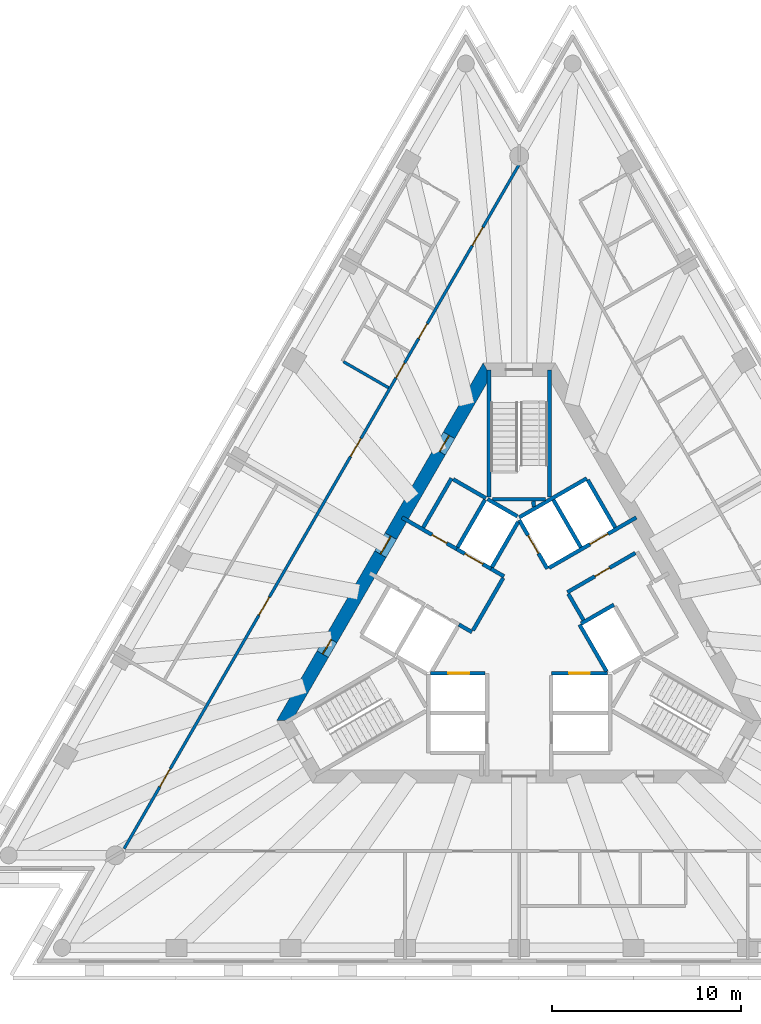
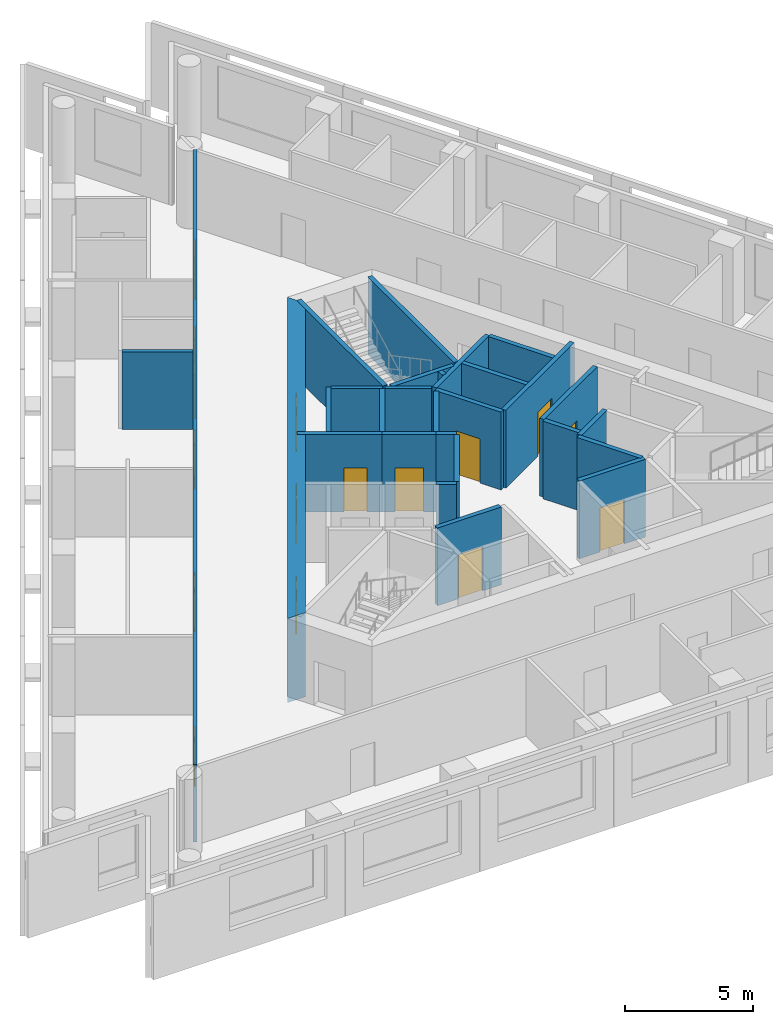
# One storey, part 4 of 9: 28 walls, 16 doors, 16 openings.
"""IFC4 building model written with IfcOpenShell, lengths in metres."""

from ifc_helpers import new_model, si_unit, direction, frame, frame_2d, origin, place, context, subcontext, project, spatial, polyline, rectangle, outline, extrude, material, layer, layer_set, type_object, element, fill, save


model = new_model("IFC4")

# Units and contexts
model_context = context("Model", 3, precision=1e-05, world=origin(), true_north=direction((0.0, 1.0)))
body_context = subcontext(model_context, "Body", "Model", "MODEL_VIEW")
ifc_project = project(units=[si_unit("LENGTHUNIT", "METRE"), si_unit("AREAUNIT", "SQUARE_METRE"), si_unit("VOLUMEUNIT", "CUBIC_METRE"), si_unit("PLANEANGLEUNIT", "RADIAN"), si_unit("MASSUNIT", "GRAM", prefix="KILO")], contexts=[model_context])

# Site, building, storey
site_placement = place(None, origin())
site = spatial("IfcSite", under=ifc_project, at=site_placement, CompositionType="ELEMENT")
building_placement = place(site_placement, origin())
building = spatial("IfcBuilding", under=site, at=building_placement, Name="Triada Interchange Tower", CompositionType="ELEMENT")
storey_placement = place(building_placement, frame((0.0, 0.0, 219.300048828125)))
storey = spatial("IfcBuildingStorey", under=building, at=storey_placement, Name="L51", CompositionType="ELEMENT", Elevation=219.300048828125)

# Wall, opening, door
ifc_material_1 = material(Name="Concrete C30/37", Category="concrete")
ifc_layer_1 = layer(ifc_material_1, 0.199951171875)
ifc_layer_set_1 = layer_set([ifc_layer_1], Name="CORE WALL 200 EI 120")
wall_type_1 = type_object("IfcWallType", Name="CORE WALL 200 EI 120", PredefinedType="SOLIDWALL", material=ifc_layer_set_1)
wall_1_placement = place(storey_placement, frame((-4.676025390625, -2.699951171875, 0.0), z_axis=(0.0, 0.0, 1.0), x_axis=(1.0, 0.0, 0.0)))
wall_1 = element("IfcWall", 1, at=wall_1_placement, inside=storey, type_object=wall_type_1, Name="Wall L50 49", PredefinedType="SOLIDWALL", context=body_context, shape_type="SweptSolid", body=[
    extrude(rectangle(XDim=2.873046875, YDim=0.199951171875, at=frame_2d((1.4365234375, 0.0))), origin(), (0.0, 0.0, 1.0), 3.699951171875),
])
opening_1_placement = place(wall_1_placement, frame((0.93701171875, 0.0, 0.0)))
opening_1 = element("IfcOpeningElement", 2, at=opening_1_placement, cuts=wall_1, Name="Opening LD-HR3", PredefinedType="OPENING", context=body_context, shape_type="SweptSolid", body=[
    extrude(rectangle(XDim=1.10009765625, YDim=2.10009765625, at=frame_2d((0.550048828125, 1.050048828125))), frame((0.0, 0.10986328125, 0.0), z_axis=(0.0, -1.0, 0.0), x_axis=(1.0, 0.0, 0.0)), (0.0, 0.0, 1.0), 0.219970703125),
])
ifc_material_2 = material(Name="Steel S235 door leaf", Category="steel")
door_type_1 = type_object("IfcDoorType", Name="LIFT LANDING DOOR 1100 EI 120", OperationType="SLIDING_TO_LEFT", PredefinedType="DOOR", material=ifc_material_2)
door_1_placement = place(opening_1_placement, origin())
door_1 = element("IfcDoor", 3, at=door_1_placement, inside=storey, type_object=door_type_1, Name="HR3 landing door L51", OperationType="SLIDING_TO_LEFT", OverallHeight=2.10009765625, OverallWidth=1.10009765625, PredefinedType="DOOR", context=body_context, shape_type="SweptSolid", body=[
    extrude(rectangle(XDim=1.10009765625, YDim=2.10009765625, at=frame_2d((0.550048828125, 1.050048828125))), frame((0.0, 0.02490234375, 0.0), z_axis=(0.0, -1.0, 0.0), x_axis=(1.0, 0.0, 0.0)), (0.0, 0.0, 1.0), 0.050048828125),
])
fill(opening_1, door_1)

wall_2_placement = place(storey_placement, frame((1.702880859375, -2.699951171875, 0.0), z_axis=(0.0, 0.0, 1.0), x_axis=(1.0, 0.0, 0.0)))
wall_2 = element("IfcWall", 4, at=wall_2_placement, inside=storey, type_object=wall_type_1, Name="Wall L50 50", PredefinedType="SOLIDWALL", context=body_context, shape_type="SweptSolid", body=[
    extrude(rectangle(XDim=2.97314453125, YDim=0.199951171875, at=frame_2d((1.486572265625, 0.0))), origin(), (0.0, 0.0, 1.0), 3.699951171875),
])
opening_2_placement = place(wall_2_placement, frame((0.93603515625, 0.0, 0.0)))
opening_2 = element("IfcOpeningElement", 5, at=opening_2_placement, cuts=wall_2, Name="Opening LD-HR1", PredefinedType="OPENING", context=body_context, shape_type="SweptSolid", body=[
    extrude(rectangle(XDim=1.10009765625, YDim=2.10009765625, at=frame_2d((0.550048828125, 1.050048828125))), frame((0.0, 0.10986328125, 0.0), z_axis=(0.0, -1.0, 0.0), x_axis=(1.0, 0.0, 0.0)), (0.0, 0.0, 1.0), 0.219970703125),
])
door_2_placement = place(opening_2_placement, origin())
door_2 = element("IfcDoor", 6, at=door_2_placement, inside=storey, type_object=door_type_1, Name="HR1 landing door L51", OperationType="SLIDING_TO_LEFT", OverallHeight=2.10009765625, OverallWidth=1.10009765625, PredefinedType="DOOR", context=body_context, shape_type="SweptSolid", body=[
    extrude(rectangle(XDim=1.10009765625, YDim=2.10009765625, at=frame_2d((0.550048828125, 1.050048828125))), frame((0.0, 0.02490234375, 0.0), z_axis=(0.0, -1.0, 0.0), x_axis=(1.0, 0.0, 0.0)), (0.0, 0.0, 1.0), 0.050048828125),
])
fill(opening_2, door_2)

# Wall
wall_3_placement = place(storey_placement, frame((-0.001953125, 5.541015625, 0.0), z_axis=(0.0, 0.0, 1.0), x_axis=(0.86600155993, 0.500041296494, 0.0)))
element("IfcWall", 7, at=wall_3_placement, inside=storey, type_object=wall_type_1, Name="Wall L50 51", PredefinedType="SOLIDWALL", context=body_context, shape_type="SweptSolid", body=[
    extrude(rectangle(XDim=4.131591796875, YDim=0.199951171875, at=frame_2d((2.06591796875, 0.0))), origin(), (0.0, 0.0, 1.0), 3.699951171875),
])

# Wall, opening, door
wall_4_placement = place(storey_placement, frame((0.0, 5.39990234375, 0.0), z_axis=(0.0, 0.0, 1.0), x_axis=(0.500103862429, -0.865965430478, 0.0)))
wall_4 = element("IfcWall", 8, at=wall_4_placement, inside=storey, type_object=wall_type_1, Name="Wall L50 52", PredefinedType="SOLIDWALL", context=body_context, shape_type="SweptSolid", body=[
    extrude(rectangle(XDim=2.973388671875, YDim=0.199951171875, at=frame_2d((1.48681640625, 0.0))), origin(), (0.0, 0.0, 1.0), 3.699951171875),
])
opening_3_placement = place(wall_4_placement, frame((0.93701171875, 0.0, 0.0)))
opening_3 = element("IfcOpeningElement", 9, at=opening_3_placement, cuts=wall_4, Name="Opening LD-HR5", PredefinedType="OPENING", context=body_context, shape_type="SweptSolid", body=[
    extrude(rectangle(XDim=1.10009765625, YDim=2.10009765625, at=frame_2d((0.550048828125, 1.050048828125))), frame((0.0, 0.10986328125, 0.0), z_axis=(0.0, -1.0, 0.0), x_axis=(1.0, 0.0, 0.0)), (0.0, 0.0, 1.0), 0.219970703125),
])
door_3_placement = place(opening_3_placement, origin())
door_3 = element("IfcDoor", 10, at=door_3_placement, inside=storey, type_object=door_type_1, Name="HR5 landing door L51", OperationType="SLIDING_TO_LEFT", OverallHeight=2.10009765625, OverallWidth=1.10009765625, PredefinedType="DOOR", context=body_context, shape_type="SweptSolid", body=[
    extrude(rectangle(XDim=1.10009765625, YDim=2.10009765625, at=frame_2d((0.550048828125, 1.050048828125))), frame((0.0, 0.02490234375, 0.0), z_axis=(0.0, -1.0, 0.0), x_axis=(1.0, 0.0, 0.0)), (0.0, 0.0, 1.0), 0.050048828125),
])
fill(opening_3, door_3)

# Wall
wall_5_placement = place(storey_placement, frame((3.18994140625, -0.125, 0.0), z_axis=(0.0, 0.0, 1.0), x_axis=(0.499988658015, -0.866031951983, 0.0)))
element("IfcWall", 11, at=wall_5_placement, inside=storey, type_object=wall_type_1, Name="Wall L50 53", PredefinedType="SOLIDWALL", context=body_context, shape_type="SweptSolid", body=[
    extrude(rectangle(XDim=2.85791015625, YDim=0.199951171875, at=frame_2d((1.428955078125, 0.0))), origin(), (0.0, 0.0, 1.0), 3.699951171875),
])

# Wall, opening, door
wall_6_placement = place(storey_placement, frame((1.577880859375, 2.8740234375, 0.0), z_axis=(0.0, 0.0, 1.0), x_axis=(0.866045911672, 0.499964477614, 0.0)))
wall_6 = element("IfcWall", 12, at=wall_6_placement, inside=storey, type_object=wall_type_1, Name="Wall L50 54", PredefinedType="SOLIDWALL", context=body_context, shape_type="SweptSolid", body=[
    extrude(rectangle(XDim=5.32666015625, YDim=0.199951171875, at=frame_2d((2.663330078125, 0.0))), origin(), (0.0, 0.0, 1.0), 3.699951171875),
])
opening_4_placement = place(wall_6_placement, frame((2.49609375, 0.0, 0.0)))
opening_4 = element("IfcOpeningElement", 13, at=opening_4_placement, cuts=wall_6, Name="Opening LD-HR6", PredefinedType="OPENING", context=body_context, shape_type="SweptSolid", body=[
    extrude(rectangle(XDim=1.10009765625, YDim=2.10009765625, at=frame_2d((0.550048828125, 1.050048828125))), frame((0.0, 0.10986328125, 0.0), z_axis=(0.0, -1.0, 0.0), x_axis=(1.0, 0.0, 0.0)), (0.0, 0.0, 1.0), 0.219970703125),
])
door_4_placement = place(opening_4_placement, origin())
door_4 = element("IfcDoor", 14, at=door_4_placement, inside=storey, type_object=door_type_1, Name="HR6 landing door L51", OperationType="SLIDING_TO_LEFT", OverallHeight=2.10009765625, OverallWidth=1.10009765625, PredefinedType="DOOR", context=body_context, shape_type="SweptSolid", body=[
    extrude(rectangle(XDim=1.10009765625, YDim=2.10009765625, at=frame_2d((0.550048828125, 1.050048828125))), frame((0.0, 0.02490234375, 0.0), z_axis=(0.0, -1.0, 0.0), x_axis=(1.0, 0.0, 0.0)), (0.0, 0.0, 1.0), 0.050048828125),
])
fill(opening_4, door_4)

# Walls
wall_7_placement = place(storey_placement, frame((3.278076171875, -0.071044921875, 0.0), z_axis=(0.0, 0.0, 1.0), x_axis=(0.865855657918, 0.500293893279, 0.0)))
element("IfcWall", 15, at=wall_7_placement, inside=storey, type_object=wall_type_1, Name="Wall L50 57", PredefinedType="SOLIDWALL", context=body_context, shape_type="SweptSolid", body=[
    extrude(rectangle(XDim=1.996826171875, YDim=0.199951171875, at=frame_2d((0.99853515625, 0.0))), origin(), (0.0, 0.0, 1.0), 3.699951171875),
])
for number, where, z_axis, x_axis, name in (
    (16, (3.6259765625, 7.52001953125, 0.0), (0.0, 0.0, 1.0), (0.500060147554, -0.865990674793, 0.0), "Wall L50 59"),
    (17, (1.806884765625, 6.469970703125, 0.0), (0.0, 0.0, 1.0), (0.50012328804, -0.865954211699, 0.0), "Wall L50 60"),
):
    element("IfcWall", number, at=place(storey_placement, frame(where, z_axis=z_axis, x_axis=x_axis)), inside=storey, type_object=wall_type_1, Name=name, PredefinedType="SOLIDWALL", context=body_context, shape_type="SweptSolid", body=[
        extrude(rectangle(XDim=2.899658203125, YDim=0.199951171875, at=frame_2d((1.44970703125, 0.0))), origin(), (0.0, 0.0, 1.0), 3.699951171875),
    ])

# Wall, opening, door
wall_8_placement = place(storey_placement, frame((2.548095703125, 1.5869140625, 0.0), z_axis=(0.0, 0.0, 1.0), x_axis=(0.866004344652, 0.500036473714, 0.0)))
wall_8 = element("IfcWall", 18, at=wall_8_placement, inside=storey, type_object=wall_type_1, Name="Wall L50 64", PredefinedType="SOLIDWALL", context=body_context, shape_type="SweptSolid", body=[
    extrude(rectangle(XDim=4.150146484375, YDim=0.199951171875, at=frame_2d((2.0751953125, 0.0))), origin(), (0.0, 0.0, 1.0), 3.699951171875),
])
opening_5_placement = place(wall_8_placement, frame((1.675048828125, 0.0, 0.0)))
opening_5 = element("IfcOpeningElement", 19, at=opening_5_placement, cuts=wall_8, Name="Opening D50-48", PredefinedType="OPENING", context=body_context, shape_type="SweptSolid", body=[
    extrude(rectangle(XDim=0.89990234375, YDim=2.10009765625, at=frame_2d((0.449951171875, 1.050048828125))), frame((0.0, 0.10986328125, 0.0), z_axis=(0.0, -1.0, 0.0), x_axis=(1.0, 0.0, 0.0)), (0.0, 0.0, 1.0), 0.219970703125),
])
door_type_2 = type_object("IfcDoorType", Name="SERVICE DOOR 900 EI2 45-C5S200", OperationType="NOTDEFINED", PredefinedType="DOOR", material=ifc_material_2)
door_5_placement = place(opening_5_placement, origin())
door_5 = element("IfcDoor", 20, at=door_5_placement, inside=storey, type_object=door_type_2, Name="Door D50-48 L51", OperationType="SINGLE_SWING_RIGHT", OverallHeight=2.10009765625, OverallWidth=0.89990234375, PredefinedType="DOOR", context=body_context, shape_type="SweptSolid", body=[
    extrude(rectangle(XDim=0.89990234375, YDim=2.10009765625, at=frame_2d((0.449951171875, 1.050048828125))), frame((0.0, 0.02490234375, 0.0), z_axis=(0.0, -1.0, 0.0), x_axis=(1.0, 0.0, 0.0)), (0.0, 0.0, 1.0), 0.050048828125),
])
fill(opening_5, door_5)

# Walls
wall_9_placement = place(storey_placement, frame((2.597900390625, 1.5, 0.0), z_axis=(0.0, 0.0, 1.0), x_axis=(0.499929347863, -0.866066190972, 0.0)))
element("IfcWall", 21, at=wall_9_placement, inside=storey, type_object=wall_type_1, Name="Wall L50 65", PredefinedType="SOLIDWALL", context=body_context, shape_type="SweptSolid", body=[
    extrude(rectangle(XDim=1.600341796875, YDim=0.199951171875, at=frame_2d((0.80029296875, 0.0))), origin(), (0.0, 0.0, 1.0), 3.699951171875),
])
ifc_layer_2 = layer(ifc_material_1, 0.199951171875)
ifc_layer_set_2 = layer_set([ifc_layer_2], Name="CORE WALL 200 EI 180")
wall_type_2 = type_object("IfcWallType", Name="CORE WALL 200 EI 180", PredefinedType="SOLIDWALL", material=ifc_layer_set_2)
wall_10_placement = place(storey_placement, frame((-3.18798828125, -0.1220703125, 0.0), z_axis=(0.0, 0.0, 1.0), x_axis=(0.865705793592, -0.50055317294, 0.0)))
element("IfcWall", 22, at=wall_10_placement, inside=storey, type_object=wall_type_2, Name="Wall L50 67", PredefinedType="SOLIDWALL", context=body_context, shape_type="SweptSolid", body=[
    extrude(rectangle(XDim=0.796875, YDim=0.199951171875, at=frame_2d((0.3984375, 0.0))), origin(), (0.0, 0.0, 1.0), 3.699951171875),
])

# Wall, opening, door
wall_11_placement = place(storey_placement, frame((-6.19091796875, 5.537109375, 0.0), z_axis=(0.0, 0.0, 1.0), x_axis=(0.866052607023, -0.499952879648, 0.0)))
wall_11 = element("IfcWall", 23, at=wall_11_placement, inside=storey, type_object=wall_type_2, Name="Wall L50 68", PredefinedType="SOLIDWALL", context=body_context, shape_type="SweptSolid", body=[
    extrude(rectangle(XDim=3.332275390625, YDim=0.199951171875, at=frame_2d((1.666015625, 0.0))), origin(), (0.0, 0.0, 1.0), 3.699951171875),
])
opening_6_placement = place(wall_11_placement, frame((1.830078125, 0.0, 0.0)))
opening_6 = element("IfcOpeningElement", 24, at=opening_6_placement, cuts=wall_11, Name="Opening D50-10", PredefinedType="OPENING", context=body_context, shape_type="SweptSolid", body=[
    extrude(rectangle(XDim=0.89990234375, YDim=2.10009765625, at=frame_2d((0.449951171875, 1.050048828125))), frame((0.0, 0.10986328125, 0.0), z_axis=(0.0, -1.0, 0.0), x_axis=(1.0, 0.0, 0.0)), (0.0, 0.0, 1.0), 0.219970703125),
])
door_type_3 = type_object("IfcDoorType", Name="SERVICE DOOR 900 EI2 90-C5S200", OperationType="NOTDEFINED", PredefinedType="DOOR", material=ifc_material_2)
door_6_placement = place(opening_6_placement, origin())
door_6 = element("IfcDoor", 25, at=door_6_placement, inside=storey, type_object=door_type_3, Name="Door D50-10 L51", OperationType="SINGLE_SWING_LEFT", OverallHeight=2.10009765625, OverallWidth=0.89990234375, PredefinedType="DOOR", context=body_context, shape_type="SweptSolid", body=[
    extrude(rectangle(XDim=0.89990234375, YDim=2.10009765625, at=frame_2d((0.449951171875, 1.050048828125))), frame((0.0, 0.02490234375, 0.0), z_axis=(0.0, -1.0, 0.0), x_axis=(1.0, 0.0, 0.0)), (0.0, 0.0, 1.0), 0.050048828125),
])
fill(opening_6, door_6)

# Walls
wall_12_placement = place(storey_placement, frame((-1.488037109375, 2.822021484375, 0.0), z_axis=(0.0, 0.0, 1.0), x_axis=(0.866236612152, -0.499633997809, 0.0)))
element("IfcWall", 26, at=wall_12_placement, inside=storey, type_object=wall_type_2, Name="Wall L50 69", PredefinedType="SOLIDWALL", context=body_context, shape_type="SweptSolid", body=[
    extrude(rectangle(XDim=0.79638671875, YDim=0.199951171875, at=frame_2d((0.398193359375, 0.0))), origin(), (0.0, 0.0, 1.0), 3.699951171875),
])
wall_13_placement = place(storey_placement, frame((-5.075927734375, 5.009033203125, 0.0), z_axis=(0.0, 0.0, 1.0), x_axis=(0.50002537861, 0.866010750942, 0.0)))
element("IfcWall", 27, at=wall_13_placement, inside=storey, type_object=wall_type_2, Name="Wall L50 70", PredefinedType="SOLIDWALL", context=body_context, shape_type="SweptSolid", body=[
    extrude(rectangle(XDim=2.999755859375, YDim=0.199951171875, at=frame_2d((1.5, 0.0))), origin(), (0.0, 0.0, 1.0), 3.699951171875),
])
wall_14_placement = place(storey_placement, frame((-3.489013671875, 7.556884765625, 0.0), z_axis=(0.0, 0.0, 1.0), x_axis=(0.866010750942, -0.50002537861, 0.0)))
element("IfcWall", 28, at=wall_14_placement, inside=storey, type_object=wall_type_2, Name="Wall L50 71", PredefinedType="SOLIDWALL", context=body_context, shape_type="SweptSolid", body=[
    extrude(rectangle(XDim=2.0, YDim=0.199951171875, at=frame_2d((1.0, 0.0))), origin(), (0.0, 0.0, 1.0), 3.699951171875),
])
wall_15_placement = place(storey_placement, frame((-2.444091796875, -0.43310546875, 0.0), z_axis=(0.0, 0.0, 1.0), x_axis=(0.500035624827, 0.866004834804, 0.0)))
element("IfcWall", 29, at=wall_15_placement, inside=storey, type_object=wall_type_2, Name="Wall L50 72", PredefinedType="SOLIDWALL", context=body_context, shape_type="SweptSolid", body=[
    extrude(rectangle(XDim=3.194091796875, YDim=0.199951171875, at=frame_2d((1.59716796875, 0.0))), origin(), (0.0, 0.0, 1.0), 3.699951171875),
])

# Wall, opening, door
wall_16_placement = place(storey_placement, frame((-3.30908203125, 3.873046875, 0.0), z_axis=(0.0, 0.0, 1.0), x_axis=(0.866098583652, -0.499873227325, 0.0)))
wall_16 = element("IfcWall", 30, at=wall_16_placement, inside=storey, type_object=wall_type_2, Name="Shaft wall FF2 L50 77", PredefinedType="SOLIDWALL", context=body_context, shape_type="SweptSolid", body=[
    extrude(rectangle(XDim=2.1025390625, YDim=0.199951171875, at=frame_2d((1.05126953125, 0.0))), origin(), (0.0, 0.0, 1.0), 3.699951171875),
])
opening_7_placement = place(wall_16_placement, frame((0.501953125, 0.0, 0.0)))
opening_7 = element("IfcOpeningElement", 31, at=opening_7_placement, cuts=wall_16, Name="Opening LD-FF2", PredefinedType="OPENING", context=body_context, shape_type="SweptSolid", body=[
    extrude(rectangle(XDim=1.10009765625, YDim=2.10009765625, at=frame_2d((0.550048828125, 1.050048828125))), frame((0.0, 0.10986328125, 0.0), z_axis=(0.0, -1.0, 0.0), x_axis=(1.0, 0.0, 0.0)), (0.0, 0.0, 1.0), 0.219970703125),
])
door_7_placement = place(opening_7_placement, origin())
door_7 = element("IfcDoor", 32, at=door_7_placement, inside=storey, type_object=door_type_1, Name="FF2 landing door L51", OperationType="SLIDING_TO_LEFT", OverallHeight=2.10009765625, OverallWidth=1.10009765625, PredefinedType="DOOR", context=body_context, shape_type="SweptSolid", body=[
    extrude(rectangle(XDim=1.10009765625, YDim=2.10009765625, at=frame_2d((0.550048828125, 1.050048828125))), frame((0.0, 0.02490234375, 0.0), z_axis=(0.0, -1.0, 0.0), x_axis=(1.0, 0.0, 0.0)), (0.0, 0.0, 1.0), 0.050048828125),
])
fill(opening_7, door_7)

# Walls
wall_17_placement = place(storey_placement, frame((-3.257080078125, 3.958984375, 0.0), z_axis=(0.0, 0.0, 1.0), x_axis=(0.50012328804, 0.865954211699, 0.0)))
element("IfcWall", 33, at=wall_17_placement, inside=storey, type_object=wall_type_2, Name="Shaft wall FF2 L50 78", PredefinedType="SOLIDWALL", context=body_context, shape_type="SweptSolid", body=[
    extrude(rectangle(XDim=2.899658203125, YDim=0.199951171875, at=frame_2d((1.44970703125, 0.0))), origin(), (0.0, 0.0, 1.0), 3.699951171875),
])
wall_18_placement = place(storey_placement, frame((-1.669921875, 6.507080078125, 0.0), z_axis=(0.0, 0.0, 1.0), x_axis=(0.865941441609, -0.500145398563, 0.0)))
element("IfcWall", 34, at=wall_18_placement, inside=storey, type_object=wall_type_2, Name="Shaft wall FF2 L50 79", PredefinedType="SOLIDWALL", context=body_context, shape_type="SweptSolid", body=[
    extrude(rectangle(XDim=1.8154296875, YDim=0.199951171875, at=frame_2d((0.90771484375, 0.0))), origin(), (0.0, 0.0, 1.0), 3.699951171875),
])
wall_19_placement = place(storey_placement, frame((-1.43798828125, 2.908935546875, 0.0), z_axis=(0.0, 0.0, 1.0), x_axis=(0.499829630636, 0.866123744241, 0.0)))
element("IfcWall", 35, at=wall_19_placement, inside=storey, type_object=wall_type_2, Name="Shaft wall FF2 L50 80", PredefinedType="SOLIDWALL", context=body_context, shape_type="SweptSolid", body=[
    extrude(rectangle(XDim=2.7607421875, YDim=0.199951171875, at=frame_2d((1.38037109375, 0.0))), origin(), (0.0, 0.0, 1.0), 3.699951171875),
])
ifc_layer_3 = layer(ifc_material_1, 0.199951171875)
ifc_layer_set_3 = layer_set([ifc_layer_3], Name="CORE WALL 200 EI 90")
wall_type_3 = type_object("IfcWallType", Name="CORE WALL 200 EI 90", PredefinedType="SOLIDWALL", material=ifc_layer_set_3)
wall_20_placement = place(storey_placement, frame((0.75, 6.39990234375, 0.0), z_axis=(0.0, 0.0, 1.0), x_axis=(0.080860177601, -0.996725454515, 0.0)))
element("IfcWall", 36, at=wall_20_placement, inside=storey, type_object=wall_type_3, Name="Wall L50 82", PredefinedType="SOLIDWALL", context=body_context, shape_type="SweptSolid", body=[
    extrude(rectangle(XDim=0.2958984375, YDim=0.199951171875, at=frame_2d((0.14794921875, 0.0))), origin(), (0.0, 0.0, 1.0), 3.699951171875),
])
ifc_layer_4 = layer(ifc_material_1, 0.199951171875)
ifc_layer_set_4 = layer_set([ifc_layer_4], Name="CORE WALL 200 REI 240")
wall_type_4 = type_object("IfcWallType", Name="CORE WALL 200 REI 240", PredefinedType="SOLIDWALL", material=ifc_layer_set_4)
wall_21_placement = place(storey_placement, frame((1.60009765625, 6.614990234375, 0.0), z_axis=(0.0, 0.0, 1.0), x_axis=(0.0, 1.0, 0.0)))
element("IfcWall", 37, at=wall_21_placement, inside=storey, type_object=wall_type_4, Name="Wall L50 89", PredefinedType="SOLIDWALL", context=body_context, shape_type="SweptSolid", body=[
    extrude(rectangle(XDim=6.715087890625, YDim=0.199951171875, at=frame_2d((3.357421875, 0.0))), origin(), (0.0, 0.0, 1.0), 3.699951171875),
])
wall_22_placement = place(storey_placement, frame((-1.39990234375, 6.5, 0.0), z_axis=(0.0, 0.0, 1.0), x_axis=(1.0, 0.0, 0.0)))
element("IfcWall", 38, at=wall_22_placement, inside=storey, type_object=wall_type_4, Name="Wall L50 90", PredefinedType="SOLIDWALL", context=body_context, shape_type="SweptSolid", body=[
    extrude(rectangle(XDim=2.7998046875, YDim=0.199951171875, at=frame_2d((1.39990234375, 0.0))), origin(), (0.0, 0.0, 1.0), 3.699951171875),
])
wall_23_placement = place(storey_placement, frame((-1.60009765625, 6.614990234375, 0.0), z_axis=(0.0, 0.0, 1.0), x_axis=(0.0, 1.0, 0.0)))
element("IfcWall", 39, at=wall_23_placement, inside=storey, type_object=wall_type_4, Name="Wall L50 91", PredefinedType="SOLIDWALL", context=body_context, shape_type="SweptSolid", body=[
    extrude(rectangle(XDim=6.715087890625, YDim=0.199951171875, at=frame_2d((3.357421875, 0.0))), origin(), (0.0, 0.0, 1.0), 3.699951171875),
])

# Wall, openings, doors
ifc_material_3 = material(Name="Concrete C50/60", Category="concrete")
ifc_layer_5 = layer(ifc_material_3, 0.699951171875)
ifc_layer_set_5 = layer_set([ifc_layer_5], Name="Core wall C 700")
wall_type_5 = type_object("IfcWallType", Name="Core wall C 700", PredefinedType="SHEAR", material=ifc_layer_set_5)
wall_24_placement = place(storey_placement, frame((-1.702880859375, 13.35009765625, -0.300048828125), z_axis=(0.0, 0.0, 1.0), x_axis=(-0.500011533395, -0.866018744874, 0.0)))
wall_24 = element("IfcWall", 40, at=wall_24_placement, inside=storey, type_object=wall_type_5, Name="Core wall WC02 L51", PredefinedType="SHEAR", context=body_context, shape_type="SweptSolid", body=[
    extrude(outline(polyline([(-0.201904296875, -0.35009765625), (1.781982421875, -0.35009765625), (3.76611328125, -0.35009765625), (5.75, -0.35009765625), (7.734130859375, -0.35009765625), (9.718017578125, -0.35009765625), (11.7021484375, -0.35009765625), (13.68603515625, -0.35009765625), (15.670166015625, -0.35009765625), (17.654052734375, -0.35009765625), (19.63818359375, -0.35009765625), (21.6220703125, -0.35009765625), (21.218017578125, 0.35009765625), (19.307373046875, 0.35009765625), (17.39697265625, 0.35009765625), (15.486328125, 0.35009765625), (13.57568359375, 0.35009765625), (11.665283203125, 0.35009765625), (9.754638671875, 0.35009765625), (7.84423828125, 0.35009765625), (5.93359375, 0.35009765625), (4.02294921875, 0.35009765625), (2.112548828125, 0.35009765625), (0.201904296875, 0.35009765625), (-0.201904296875, -0.35009765625)])), origin(), (0.0, 0.0, 1.0), 4.0),
])
opening_8_placement = place(wall_24_placement, frame((10.159912109375, 0.0, 0.300048828125)))
opening_8 = element("IfcOpeningElement", 41, at=opening_8_placement, cuts=wall_24, Name="Opening D50-42", PredefinedType="OPENING", context=body_context, shape_type="SweptSolid", body=[
    extrude(rectangle(XDim=1.10009765625, YDim=2.10009765625, at=frame_2d((0.550048828125, 1.050048828125))), frame((0.0, 0.360107421875, 0.0), z_axis=(0.0, -1.0, 0.0), x_axis=(1.0, 0.0, 0.0)), (0.0, 0.0, 1.0), 0.72021484375),
])
opening_9_placement = place(wall_24_placement, frame((16.465087890625, 0.0, 0.300048828125)))
opening_9 = element("IfcOpeningElement", 42, at=opening_9_placement, cuts=wall_24, Name="Opening D50-43", PredefinedType="OPENING", context=body_context, shape_type="SweptSolid", body=[
    extrude(rectangle(XDim=0.89990234375, YDim=2.10009765625, at=frame_2d((0.449951171875, 1.050048828125))), frame((0.0, 0.360107421875, 0.0), z_axis=(0.0, -1.0, 0.0), x_axis=(1.0, 0.0, 0.0)), (0.0, 0.0, 1.0), 0.72021484375),
])
opening_10_placement = place(wall_24_placement, frame((4.0048828125, 0.0, 0.300048828125)))
opening_10 = element("IfcOpeningElement", 43, at=opening_10_placement, cuts=wall_24, Name="Opening D50-46", PredefinedType="OPENING", context=body_context, shape_type="SweptSolid", body=[
    extrude(rectangle(XDim=1.0, YDim=2.10009765625, at=frame_2d((0.5, 1.050048828125))), frame((0.0, 0.360107421875, 0.0), z_axis=(0.0, -1.0, 0.0), x_axis=(1.0, 0.0, 0.0)), (0.0, 0.0, 1.0), 0.72021484375),
])
door_type_4 = type_object("IfcDoorType", Name="FIRE LOBBY DOOR 1100 EI2 90-C5S200", OperationType="NOTDEFINED", PredefinedType="DOOR", material=ifc_material_2)
door_8_placement = place(opening_8_placement, origin())
door_8 = element("IfcDoor", 44, at=door_8_placement, inside=storey, type_object=door_type_4, Name="Door D50-42 L51", OperationType="SINGLE_SWING_RIGHT", OverallHeight=2.10009765625, OverallWidth=1.10009765625, PredefinedType="DOOR", context=body_context, shape_type="SweptSolid", body=[
    extrude(rectangle(XDim=1.10009765625, YDim=2.10009765625, at=frame_2d((0.550048828125, 1.050048828125))), frame((0.0, 0.02490234375, 0.0), z_axis=(0.0, -1.0, 0.0), x_axis=(1.0, 0.0, 0.0)), (0.0, 0.0, 1.0), 0.050048828125),
])
fill(opening_8, door_8)
door_type_5 = type_object("IfcDoorType", Name="SERVICE DOOR 1000 EI2 45-C5S200", OperationType="NOTDEFINED", PredefinedType="DOOR", material=ifc_material_2)
door_9_placement = place(opening_10_placement, origin())
door_9 = element("IfcDoor", 45, at=door_9_placement, inside=storey, type_object=door_type_5, Name="Door D50-46 L51", OperationType="SINGLE_SWING_RIGHT", OverallHeight=2.10009765625, OverallWidth=1.0, PredefinedType="DOOR", context=body_context, shape_type="SweptSolid", body=[
    extrude(rectangle(XDim=1.0, YDim=2.10009765625, at=frame_2d((0.5, 1.050048828125))), frame((0.0, 0.02490234375, 0.0), z_axis=(0.0, -1.0, 0.0), x_axis=(1.0, 0.0, 0.0)), (0.0, 0.0, 1.0), 0.050048828125),
])
fill(opening_10, door_9)
door_10_placement = place(opening_9_placement, origin())
door_10 = element("IfcDoor", 46, at=door_10_placement, inside=storey, type_object=door_type_2, Name="Door D50-43 L51", OperationType="SINGLE_SWING_RIGHT", OverallHeight=2.10009765625, OverallWidth=0.89990234375, PredefinedType="DOOR", context=body_context, shape_type="SweptSolid", body=[
    extrude(rectangle(XDim=0.89990234375, YDim=2.10009765625, at=frame_2d((0.449951171875, 1.050048828125))), frame((0.0, 0.02490234375, 0.0), z_axis=(0.0, -1.0, 0.0), x_axis=(1.0, 0.0, 0.0)), (0.0, 0.0, 1.0), 0.050048828125),
])
fill(opening_9, door_10)

ifc_material_4 = material(Name="Gypsum board partition")
ifc_layer_6 = layer(ifc_material_4, 0.14990234375)
ifc_layer_set_6 = layer_set([ifc_layer_6], Name="PARTITION 150 EI 180")
wall_type_6 = type_object("IfcWallType", Name="PARTITION 150 EI 180", PredefinedType="PARTITIONING", material=ifc_layer_set_6)
wall_25_placement = place(storey_placement, frame((-20.883056640625, -11.969970703125, 0.0), z_axis=(0.0, 0.0, 1.0), x_axis=(0.500006150555, 0.866021852731, 0.0)))
wall_25 = element("IfcWall", 47, at=wall_25_placement, inside=storey, type_object=wall_type_6, Name="Wall L50 4", PredefinedType="PARTITIONING", context=body_context, shape_type="SweptSolid", body=[
    extrude(rectangle(XDim=41.765625, YDim=0.14990234375, at=frame_2d((20.8828125, 0.0))), origin(), (0.0, 0.0, 1.0), 3.699951171875),
])
opening_11_placement = place(wall_25_placement, frame((36.81591796875, 0.0, 0.0)))
opening_11 = element("IfcOpeningElement", 48, at=opening_11_placement, cuts=wall_25, Name="Opening D50-29", PredefinedType="OPENING", context=body_context, shape_type="SweptSolid", body=[
    extrude(rectangle(XDim=1.10009765625, YDim=2.10009765625, at=frame_2d((0.550048828125, 1.050048828125))), frame((0.0, 0.0849609375, 0.0), z_axis=(0.0, -1.0, 0.0), x_axis=(1.0, 0.0, 0.0)), (0.0, 0.0, 1.0), 0.169921875),
])
opening_12_placement = place(wall_25_placement, frame((23.93896484375, 0.0, 0.0)))
opening_12 = element("IfcOpeningElement", 49, at=opening_12_placement, cuts=wall_25, Name="Opening D50-32", PredefinedType="OPENING", context=body_context, shape_type="SweptSolid", body=[
    extrude(rectangle(XDim=1.10009765625, YDim=2.10009765625, at=frame_2d((0.550048828125, 1.050048828125))), frame((0.0, 0.0849609375, 0.0), z_axis=(0.0, -1.0, 0.0), x_axis=(1.0, 0.0, 0.0)), (0.0, 0.0, 1.0), 0.169921875),
])
opening_13_placement = place(wall_25_placement, frame((31.138916015625, 0.0, 0.0)))
opening_13 = element("IfcOpeningElement", 50, at=opening_13_placement, cuts=wall_25, Name="Opening D50-33", PredefinedType="OPENING", context=body_context, shape_type="SweptSolid", body=[
    extrude(rectangle(XDim=0.89990234375, YDim=2.10009765625, at=frame_2d((0.449951171875, 1.050048828125))), frame((0.0, 0.0849609375, 0.0), z_axis=(0.0, -1.0, 0.0), x_axis=(1.0, 0.0, 0.0)), (0.0, 0.0, 1.0), 0.169921875),
])
opening_14_placement = place(wall_25_placement, frame((28.739013671875, 0.0, 0.0)))
opening_14 = element("IfcOpeningElement", 51, at=opening_14_placement, cuts=wall_25, Name="Opening D50-34", PredefinedType="OPENING", context=body_context, shape_type="SweptSolid", body=[
    extrude(rectangle(XDim=0.89990234375, YDim=2.10009765625, at=frame_2d((0.449951171875, 1.050048828125))), frame((0.0, 0.0849609375, 0.0), z_axis=(0.0, -1.0, 0.0), x_axis=(1.0, 0.0, 0.0)), (0.0, 0.0, 1.0), 0.169921875),
])
opening_15_placement = place(wall_25_placement, frame((14.258056640625, 0.0, 0.0)))
opening_15 = element("IfcOpeningElement", 52, at=opening_15_placement, cuts=wall_25, Name="Opening D50-35", PredefinedType="OPENING", context=body_context, shape_type="SweptSolid", body=[
    extrude(rectangle(XDim=1.10009765625, YDim=2.10009765625, at=frame_2d((0.550048828125, 1.050048828125))), frame((0.0, 0.0849609375, 0.0), z_axis=(0.0, -1.0, 0.0), x_axis=(1.0, 0.0, 0.0)), (0.0, 0.0, 1.0), 0.169921875),
])
opening_16_placement = place(wall_25_placement, frame((3.777099609375, 0.0, 0.0)))
opening_16 = element("IfcOpeningElement", 53, at=opening_16_placement, cuts=wall_25, Name="Opening D50-37", PredefinedType="OPENING", context=body_context, shape_type="SweptSolid", body=[
    extrude(rectangle(XDim=1.10009765625, YDim=2.10009765625, at=frame_2d((0.550048828125, 1.050048828125))), frame((0.0, 0.0849609375, 0.0), z_axis=(0.0, -1.0, 0.0), x_axis=(1.0, 0.0, 0.0)), (0.0, 0.0, 1.0), 0.169921875),
])
door_type_6 = type_object("IfcDoorType", Name="ROOM DOOR 900 EI2 90-C5S200", OperationType="NOTDEFINED", PredefinedType="DOOR", material=ifc_material_2)
door_11_placement = place(opening_13_placement, origin())
door_11 = element("IfcDoor", 54, at=door_11_placement, inside=storey, type_object=door_type_6, Name="Door D50-33 L51", OperationType="SINGLE_SWING_LEFT", OverallHeight=2.10009765625, OverallWidth=0.89990234375, PredefinedType="DOOR", context=body_context, shape_type="SweptSolid", body=[
    extrude(rectangle(XDim=0.89990234375, YDim=2.10009765625, at=frame_2d((0.449951171875, 1.050048828125))), frame((0.0, 0.02490234375, 0.0), z_axis=(0.0, -1.0, 0.0), x_axis=(1.0, 0.0, 0.0)), (0.0, 0.0, 1.0), 0.050048828125),
])
fill(opening_13, door_11)
door_12_placement = place(opening_14_placement, origin())
door_12 = element("IfcDoor", 55, at=door_12_placement, inside=storey, type_object=door_type_3, Name="Door D50-34 L51", OperationType="SINGLE_SWING_LEFT", OverallHeight=2.10009765625, OverallWidth=0.89990234375, PredefinedType="DOOR", context=body_context, shape_type="SweptSolid", body=[
    extrude(rectangle(XDim=0.89990234375, YDim=2.10009765625, at=frame_2d((0.449951171875, 1.050048828125))), frame((0.0, 0.02490234375, 0.0), z_axis=(0.0, -1.0, 0.0), x_axis=(1.0, 0.0, 0.0)), (0.0, 0.0, 1.0), 0.050048828125),
])
fill(opening_14, door_12)
door_type_7 = type_object("IfcDoorType", Name="TENANCY ENTRANCE DOOR 1100 EI2 90-C5S200", OperationType="NOTDEFINED", PredefinedType="DOOR", material=ifc_material_2)
door_13_placement = place(opening_11_placement, origin())
door_13 = element("IfcDoor", 56, at=door_13_placement, inside=storey, type_object=door_type_7, Name="Door D50-29 L51", OperationType="SINGLE_SWING_RIGHT", OverallHeight=2.10009765625, OverallWidth=1.10009765625, PredefinedType="DOOR", context=body_context, shape_type="SweptSolid", body=[
    extrude(rectangle(XDim=1.10009765625, YDim=2.10009765625, at=frame_2d((0.550048828125, 1.050048828125))), frame((0.0, 0.02490234375, 0.0), z_axis=(0.0, -1.0, 0.0), x_axis=(1.0, 0.0, 0.0)), (0.0, 0.0, 1.0), 0.050048828125),
])
fill(opening_11, door_13)
door_14_placement = place(opening_12_placement, origin())
door_14 = element("IfcDoor", 57, at=door_14_placement, inside=storey, type_object=door_type_7, Name="Door D50-32 L51", OperationType="SINGLE_SWING_LEFT", OverallHeight=2.10009765625, OverallWidth=1.10009765625, PredefinedType="DOOR", context=body_context, shape_type="SweptSolid", body=[
    extrude(rectangle(XDim=1.10009765625, YDim=2.10009765625, at=frame_2d((0.550048828125, 1.050048828125))), frame((0.0, 0.02490234375, 0.0), z_axis=(0.0, -1.0, 0.0), x_axis=(1.0, 0.0, 0.0)), (0.0, 0.0, 1.0), 0.050048828125),
])
fill(opening_12, door_14)
door_15_placement = place(opening_15_placement, origin())
door_15 = element("IfcDoor", 58, at=door_15_placement, inside=storey, type_object=door_type_7, Name="Door D50-35 L51", OperationType="SINGLE_SWING_LEFT", OverallHeight=2.10009765625, OverallWidth=1.10009765625, PredefinedType="DOOR", context=body_context, shape_type="SweptSolid", body=[
    extrude(rectangle(XDim=1.10009765625, YDim=2.10009765625, at=frame_2d((0.550048828125, 1.050048828125))), frame((0.0, 0.02490234375, 0.0), z_axis=(0.0, -1.0, 0.0), x_axis=(1.0, 0.0, 0.0)), (0.0, 0.0, 1.0), 0.050048828125),
])
fill(opening_15, door_15)
door_16_placement = place(opening_16_placement, origin())
door_16 = element("IfcDoor", 59, at=door_16_placement, inside=storey, type_object=door_type_7, Name="Door D50-37 L51", OperationType="SINGLE_SWING_LEFT", OverallHeight=2.10009765625, OverallWidth=1.10009765625, PredefinedType="DOOR", context=body_context, shape_type="SweptSolid", body=[
    extrude(rectangle(XDim=1.10009765625, YDim=2.10009765625, at=frame_2d((0.550048828125, 1.050048828125))), frame((0.0, 0.02490234375, 0.0), z_axis=(0.0, -1.0, 0.0), x_axis=(1.0, 0.0, 0.0)), (0.0, 0.0, 1.0), 0.050048828125),
])
fill(opening_16, door_16)

# Wall
wall_26_placement = place(storey_placement, frame((-9.2890625, 13.77099609375, 0.0), z_axis=(0.0, 0.0, 1.0), x_axis=(0.865965703354, -0.500103389924, 0.0)))
element("IfcWall", 60, at=wall_26_placement, inside=storey, type_object=wall_type_6, Name="Wall L50 10", PredefinedType="PARTITIONING", context=body_context, shape_type="SweptSolid", body=[
    extrude(rectangle(XDim=2.75537109375, YDim=0.14990234375, at=frame_2d((1.377685546875, 0.0))), origin(), (0.0, 0.0, 1.0), 3.699951171875),
])

save(model, "model.ifc")
